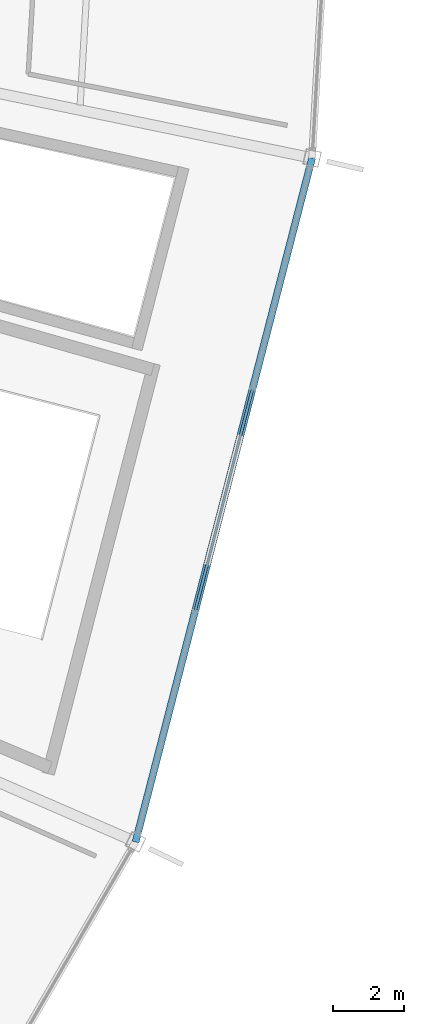
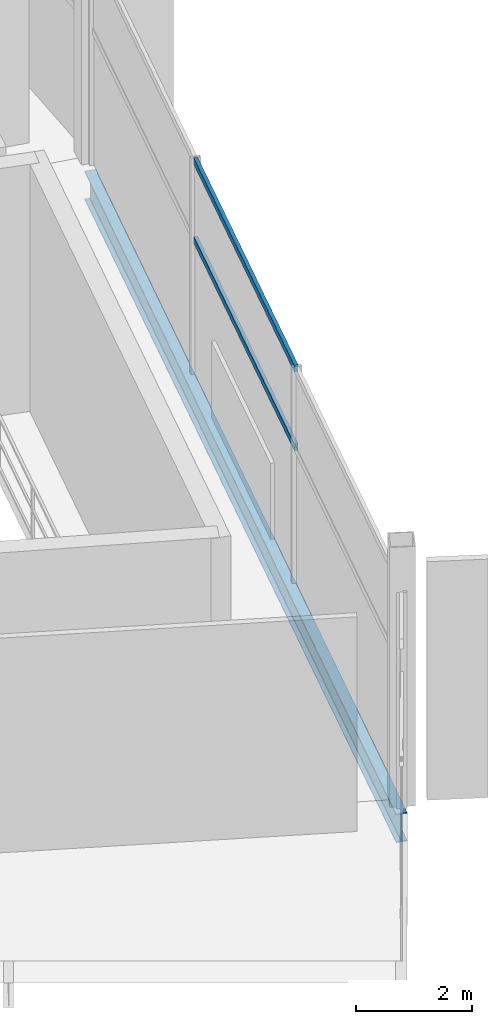
# One storey, part 66 of 186: 2 members, 1 beam, 1 element without a shape of its own.
"""IFC4 building model written with IfcOpenShell, lengths in metres."""

from ifc_helpers import new_model, si_unit, direction, frame, origin, origin_2d, place, context, subcontext, project, spatial, hollow_rectangle, i_section, extrude, material, layer, layer_set, material_profile, profile_set, type_object, element, aggregate, save


model = new_model("IFC4")

# Units and contexts
model_context = context("Model", 3, precision=1e-05, world=origin(), true_north=direction((0.0, 1.0)))
body_context = subcontext(model_context, "Body", "Model", "MODEL_VIEW")
ifc_project = project(units=[si_unit("LENGTHUNIT", "METRE"), si_unit("AREAUNIT", "SQUARE_METRE"), si_unit("VOLUMEUNIT", "CUBIC_METRE"), si_unit("PLANEANGLEUNIT", "RADIAN"), si_unit("MASSUNIT", "GRAM", prefix="KILO")], contexts=[model_context])

# Site, building, storey
site_placement = place(None, origin())
site = spatial("IfcSite", under=ifc_project, at=site_placement, CompositionType="ELEMENT")
building_placement = place(site_placement, origin())
building = spatial("IfcBuilding", under=site, at=building_placement, Name="Kazemori Nagisa Stadium", CompositionType="ELEMENT")
storey_placement = place(building_placement, frame((0.0, 0.0, 20.39990234375)))
storey = spatial("IfcBuildingStorey", under=building, at=storey_placement, Name="L04", CompositionType="ELEMENT", Elevation=20.39990234375)

# Beam
ifc_material_1 = material(Name="Steel SN490B", Category="steel")
ifc_material_profile_1 = material_profile(ifc_material_1, i_section(OverallWidth=0.199951171875, OverallDepth=0.60009765625, WebThickness=0.010986328125, FlangeThickness=0.01708984375, FilletRadius=0.012939453125, at=origin_2d()), Name="H-600x200x11x17")
ifc_profile_set_1 = profile_set([ifc_material_profile_1], Name="Steel SN490B")
beam_type = type_object("IfcBeamType", Name="Beam_BS-H600", PredefinedType="SPANDREL", material=ifc_profile_set_1)
beam_placement = place(storey_placement, frame((211.885009765625, 63.25048828125, -0.599853515625), z_axis=(0.249964097999, 0.968255105699, 0.0), x_axis=(-0.968255105699, 0.249964097999, 0.0)))
element("IfcBeam", 1, at=beam_placement, inside=storey, type_object=beam_type, Name="Ring girder BS-H600 L04 R3-27", PredefinedType="SPANDREL", context=body_context, shape_type="SweptSolid", body=[
    extrude(i_section(OverallWidth=0.199951171875, OverallDepth=0.60009765625, WebThickness=0.010986328125, FlangeThickness=0.01708984375, FilletRadius=0.012939453125, at=origin_2d()), origin(), (0.0, 0.0, 1.0), 19.986328125),
])

# Curtain wall, members
ifc_material_2 = material(Name="Anodised aluminium 6063-T5", Category="aluminium")
ifc_layer = layer(ifc_material_2, 0.179931640625, Name="Anodised aluminium 6063-T5", Category="aluminium")
ifc_layer_set = layer_set([ifc_layer], Name="Anodised aluminium 6063-T5")
curtain_wall_type = type_object("IfcCurtainWallType", Name="CW_L04R3_98", PredefinedType="USERDEFINED", material=ifc_layer_set)
curtain_wall_placement = place(storey_placement, origin())
curtain_wall = element("IfcCurtainWall", 2, at=curtain_wall_placement, inside=storey, type_object=curtain_wall_type, Name="Unitised curtain wall CW-L04R3-98 L04", ObjectType="UNITISED CURTAIN WALL", PredefinedType="USERDEFINED")
ifc_material_3 = material(Name="Aluminium 6063-T5 anodised", Category="aluminium")
ifc_material_profile_2 = material_profile(ifc_material_3, hollow_rectangle(XDim=0.070068359375, YDim=0.139892578125, WallThickness=0.00390625, at=origin_2d()), Name="ALU-TRAN-70x140x4")
ifc_profile_set_2 = profile_set([ifc_material_profile_2], Name="Aluminium 6063-T5 anodised")
member_type = type_object("IfcMemberType", Name="Transom_T01", PredefinedType="USERDEFINED", material=ifc_profile_set_2)
member_1_placement = place(storey_placement, frame((213.576416015625, 69.802734375, 2.80859375), z_axis=(0.249962703007, 0.968255465828, 0.0), x_axis=(-0.968255465828, 0.249962703007, 0.0)))
member_1 = element("IfcMember", 3, at=member_1_placement, type_object=member_type, Name="Curtain wall transom CW-L04R3-98-T2-mid", ObjectType="TRANSOM", PredefinedType="USERDEFINED", context=body_context, shape_type="SweptSolid", body=[
    extrude(hollow_rectangle(XDim=0.070068359375, YDim=0.139892578125, WallThickness=0.00390625, at=origin_2d()), origin(), (0.0, 0.0, 1.0), 6.4521484375),
])
member_2_placement = place(storey_placement, frame((213.576416015625, 69.802734375, 4.460205078125), z_axis=(0.249962703007, 0.968255465828, 0.0), x_axis=(-0.968255465828, 0.249962703007, 0.0)))
member_2 = element("IfcMember", 4, at=member_2_placement, type_object=member_type, Name="Curtain wall transom CW-L04R3-98-T2-head", ObjectType="TRANSOM", PredefinedType="USERDEFINED", context=body_context, shape_type="SweptSolid", body=[
    extrude(hollow_rectangle(XDim=0.070068359375, YDim=0.139892578125, WallThickness=0.00390625, at=origin_2d()), origin(), (0.0, 0.0, 1.0), 6.4521484375),
])
aggregate(curtain_wall, [member_1, member_2])

save(model, "model.ifc")
